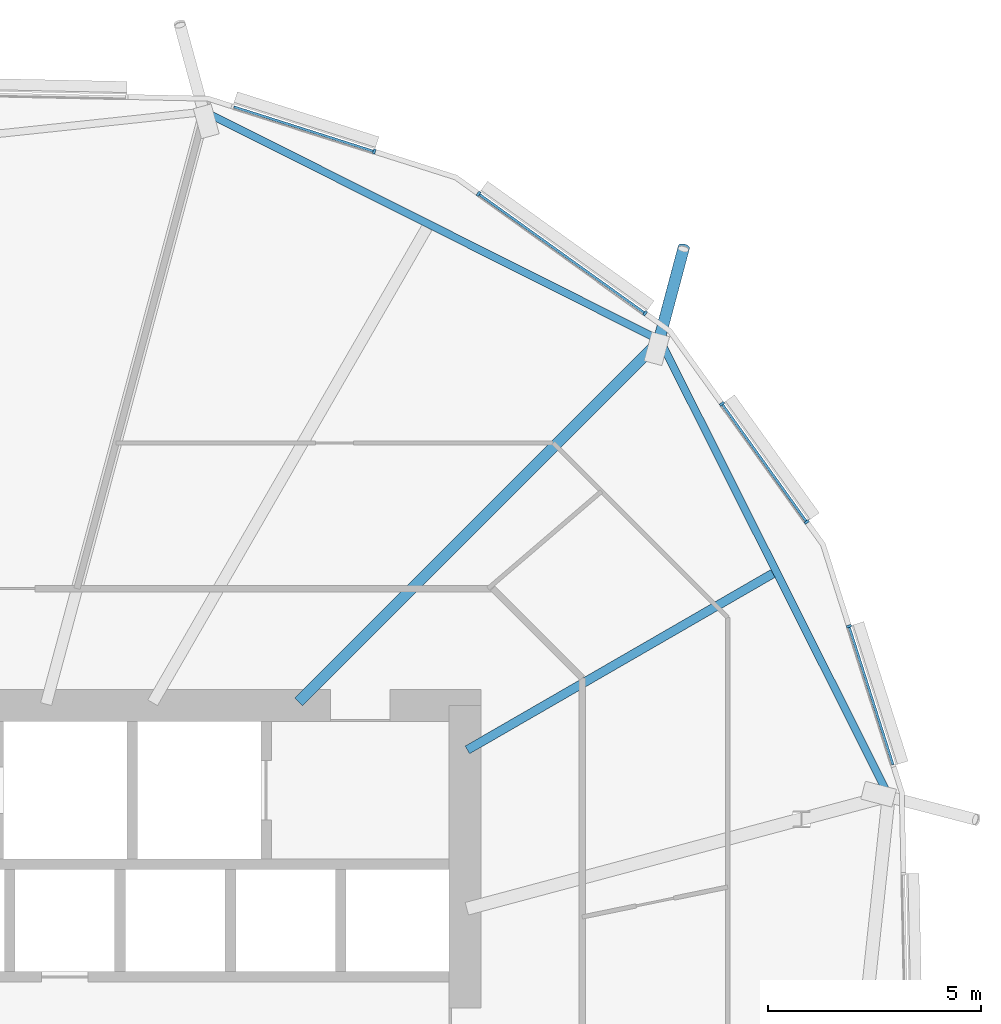
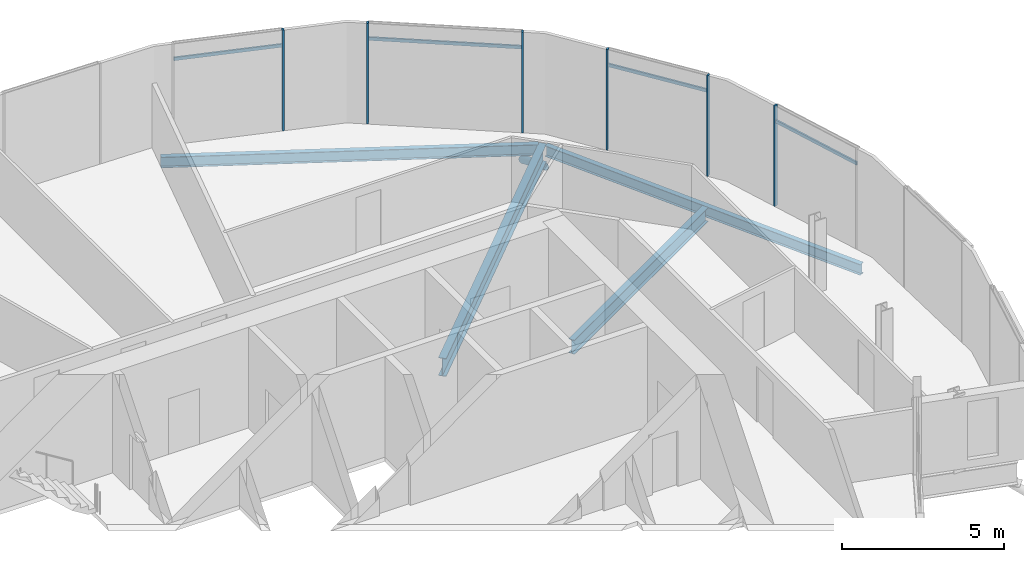
# One storey, part 19 of 43: 11 members, 4 beams, 1 element without a shape of its own.
"""IFC4 building model written with IfcOpenShell, lengths in metres."""

from ifc_helpers import new_model, si_unit, direction, frame, origin, origin_2d, place, context, subcontext, project, spatial, rectangle, hollow_circle, i_section, extrude, clip, halfspace, material, material_profile, profile_set, type_object, element, aggregate, save


model = new_model("IFC4")

# Units and contexts
model_context = context("Model", 3, precision=1e-05, world=origin(), true_north=direction((0.0, 1.0)))
body_context = subcontext(model_context, "Body", "Model", "MODEL_VIEW")
ifc_project = project(units=[si_unit("LENGTHUNIT", "METRE"), si_unit("AREAUNIT", "SQUARE_METRE"), si_unit("VOLUMEUNIT", "CUBIC_METRE"), si_unit("PLANEANGLEUNIT", "RADIAN"), si_unit("MASSUNIT", "GRAM", prefix="KILO")], contexts=[model_context])

# Site, building, storey
site_placement = place(None, origin())
site = spatial("IfcSite", under=ifc_project, at=site_placement, CompositionType="ELEMENT")
building_placement = place(site_placement, origin())
building = spatial("IfcBuilding", under=site, at=building_placement, Name="Rimbun Link Towers", CompositionType="ELEMENT")
storey_placement = place(building_placement, frame((0.0, 0.0, 81.60009765625)))
storey = spatial("IfcBuildingStorey", under=building, at=storey_placement, Name="L19", CompositionType="ELEMENT", Elevation=81.60009765625)

# Curtain wall, members
ifc_material_1 = material(Name="Aluminium 6063-T6 and low-iron glass", Category="aluminium")
curtain_wall_type = type_object("IfcCurtainWallType", Name="CW1-Z2 unitised vision wall (zone 2)", PredefinedType="NOTDEFINED", material=ifc_material_1)
curtain_wall_placement = place(storey_placement, origin())
curtain_wall = element("IfcCurtainWall", 1, at=curtain_wall_placement, inside=storey, type_object=curtain_wall_type, Name="CW1 L19 T2", PredefinedType="NOTDEFINED")
ifc_material_2 = material(Name="Aluminium 6063-T6", Category="aluminium")
ifc_material_profile_1 = material_profile(ifc_material_2, rectangle(XDim=0.1201171875, YDim=0.06005859375, at=origin_2d()), Name="MULLION 60X120")
ifc_profile_set_1 = profile_set([ifc_material_profile_1], Name="Aluminium 6063-T6")
member_type_1 = type_object("IfcMemberType", Name="CW1 mullion 60X120", PredefinedType="MULLION", material=ifc_profile_set_1)
member_1_placement = place(storey_placement, frame((44.06640625, 20.027099609375, 0.0), z_axis=(0.0, 0.0, 1.0), x_axis=(0.583004243446, 0.812469108412, 0.0)))
member_1 = element("IfcMember", 2, at=member_1_placement, type_object=member_type_1, Name="CW1 mullion", PredefinedType="MULLION", context=body_context, shape_type="SweptSolid", body=[
    extrude(rectangle(XDim=0.1201171875, YDim=0.06005859375, at=origin_2d()), origin(), (0.0, 0.0, 1.0), 3.7998046875),
])
member_2_placement = place(storey_placement, frame((47.978759765625, 17.219482421875, 0.0), z_axis=(0.0, 0.0, 1.0), x_axis=(0.583004243446, 0.812469108412, 0.0)))
member_2 = element("IfcMember", 3, at=member_2_placement, type_object=member_type_1, Name="CW1 mullion", PredefinedType="MULLION", context=body_context, shape_type="SweptSolid", body=[
    extrude(rectangle(XDim=0.1201171875, YDim=0.06005859375, at=origin_2d()), origin(), (0.0, 0.0, 1.0), 3.7998046875),
])
member_3_placement = place(storey_placement, frame((41.615478515625, 21.0205078125, 0.0), z_axis=(0.0, 0.0, 1.0), x_axis=(0.303070142328, 0.952968251743, 0.0)))
member_3 = element("IfcMember", 4, at=member_3_placement, type_object=member_type_1, Name="CW1 mullion", PredefinedType="MULLION", context=body_context, shape_type="SweptSolid", body=[
    extrude(rectangle(XDim=0.1201171875, YDim=0.06005859375, at=origin_2d()), origin(), (0.0, 0.0, 1.0), 3.7998046875),
])
member_4_placement = place(storey_placement, frame((52.7705078125, 9.865478515625, 0.0), z_axis=(0.0, 0.0, 1.0), x_axis=(0.952968251743, 0.303070142328, 0.0)))
member_4 = element("IfcMember", 5, at=member_4_placement, type_object=member_type_1, Name="CW1 mullion", PredefinedType="MULLION", context=body_context, shape_type="SweptSolid", body=[
    extrude(rectangle(XDim=0.1201171875, YDim=0.06005859375, at=origin_2d()), origin(), (0.0, 0.0, 1.0), 3.7998046875),
])
member_5_placement = place(storey_placement, frame((49.78564453125, 15.09130859375, 0.0), z_axis=(0.0, 0.0, 1.0), x_axis=(0.812469108412, 0.583004243446, 0.0)))
member_5 = element("IfcMember", 6, at=member_5_placement, type_object=member_type_1, Name="CW1 mullion", PredefinedType="MULLION", context=body_context, shape_type="SweptSolid", body=[
    extrude(rectangle(XDim=0.1201171875, YDim=0.06005859375, at=origin_2d()), origin(), (0.0, 0.0, 1.0), 3.7998046875),
])
member_6_placement = place(storey_placement, frame((51.777099609375, 12.31640625, 0.0), z_axis=(0.0, 0.0, 1.0), x_axis=(0.812469108412, 0.583004243446, 0.0)))
member_6 = element("IfcMember", 7, at=member_6_placement, type_object=member_type_1, Name="CW1 mullion", PredefinedType="MULLION", context=body_context, shape_type="SweptSolid", body=[
    extrude(rectangle(XDim=0.1201171875, YDim=0.06005859375, at=origin_2d()), origin(), (0.0, 0.0, 1.0), 3.7998046875),
])
ifc_material_3 = material(Name="Aluminium 6063-T6", Category="aluminium")
ifc_material_profile_2 = material_profile(ifc_material_3, rectangle(XDim=0.06005859375, YDim=0.1201171875, at=origin_2d()), Name="TRANSOM 60X120")
ifc_profile_set_2 = profile_set([ifc_material_profile_2], Name="Aluminium 6063-T6")
member_type_2 = type_object("IfcMemberType", Name="CW1 transom 60X120", PredefinedType="USERDEFINED", material=ifc_profile_set_2)
member_7_placement = place(storey_placement, frame((44.089599609375, 20.0078125, 3.199951171875), z_axis=(0.812475871457, -0.582994818417, 0.0), x_axis=(0.582994818417, 0.812475871457, 0.0)))
member_7 = element("IfcMember", 8, at=member_7_placement, type_object=member_type_2, Name="CW1 transom", ObjectType="TRANSOM", PredefinedType="USERDEFINED", context=body_context, shape_type="SweptSolid", body=[
    extrude(rectangle(XDim=0.06005859375, YDim=0.1201171875, at=origin_2d()), origin(), (0.0, 0.0, 1.0), 4.755615234375),
])
member_8_placement = place(storey_placement, frame((38.317138671875, 22.0673828125, 3.199951171875), z_axis=(0.952955685137, -0.303109653697, 0.0), x_axis=(0.303109653697, 0.952955685137, 0.0)))
member_8 = element("IfcMember", 9, at=member_8_placement, type_object=member_type_2, Name="CW1 transom", ObjectType="TRANSOM", PredefinedType="USERDEFINED", context=body_context, shape_type="SweptSolid", body=[
    extrude(rectangle(XDim=0.06005859375, YDim=0.1201171875, at=origin_2d()), origin(), (0.0, 0.0, 1.0), 3.430419921875),
])
member_9_placement = place(storey_placement, frame((52.777587890625, 9.836181640625, 3.199951171875), z_axis=(0.303132108062, -0.952948542715, 0.0), x_axis=(0.952948542715, 0.303132108062, 0.0)))
member_9 = element("IfcMember", 10, at=member_9_placement, type_object=member_type_2, Name="CW1 transom", ObjectType="TRANSOM", PredefinedType="USERDEFINED", context=body_context, shape_type="SweptSolid", body=[
    extrude(rectangle(XDim=0.06005859375, YDim=0.1201171875, at=origin_2d()), origin(), (0.0, 0.0, 1.0), 3.380126953125),
])
member_10_placement = place(storey_placement, frame((49.801513671875, 15.06591796875, 3.199951171875), z_axis=(0.582998721092, -0.812473071064, 0.0), x_axis=(0.812473071064, 0.582998721092, 0.0)))
member_10 = element("IfcMember", 11, at=member_10_placement, type_object=member_type_2, Name="CW1 transom", ObjectType="TRANSOM", PredefinedType="USERDEFINED", context=body_context, shape_type="SweptSolid", body=[
    extrude(rectangle(XDim=0.06005859375, YDim=0.1201171875, at=origin_2d()), origin(), (0.0, 0.0, 1.0), 3.35546875),
])
aggregate(curtain_wall, [member_1, member_2, member_3, member_4, member_5, member_6, member_7, member_8, member_9, member_10])

# Member
ifc_material_4 = material(Name="Steel S355J2H", Category="steel")
ifc_material_profile_3 = material_profile(ifc_material_4, hollow_circle(Radius=0.136474609375, WallThickness=0.012451171875, at=origin_2d()), Name="CHS 273x12.5")
ifc_profile_set_3 = profile_set([ifc_material_profile_3], Name="Steel S355J2H")
member_type_3 = type_object("IfcMemberType", Name="Floor edge link CHS 273x12.5", PredefinedType="BRACE", material=ifc_profile_set_3)
member_11_placement = place(storey_placement, frame((48.298095703125, 16.548095703125, -0.96142578125), z_axis=(0.222831092027, 0.835593717167, -0.502124928934), x_axis=(-0.966233183247, 0.257669236798, 0.0)))
element("IfcMember", 12, at=member_11_placement, inside=storey, type_object=member_type_3, Name="Floor edge link T2 L19 00", PredefinedType="BRACE", context=body_context, shape_type="Clipping", body=[
    clip(extrude(hollow_circle(Radius=0.136474609375, WallThickness=0.012451171875, at=origin_2d()), frame((0.0, 0.0, -0.489990234375)), (0.0, 0.0, 1.0), 3.157958984375), halfspace(frame((0.0, 0.0, -0.230712890625), z_axis=(0.0, 0.864795094657, -0.502124928934)), False)),
])

# Beams
ifc_material_5 = material(Name="Steel S355J2", Category="steel")
ifc_material_profile_4 = material_profile(ifc_material_5, i_section(OverallWidth=0.177978515625, OverallDepth=0.406494140625, WebThickness=0.0078125, FlangeThickness=0.0126953125, at=origin_2d()), Name="UB 406x178x60")
ifc_profile_set_4 = profile_set([ifc_material_profile_4], Name="Steel S355J2")
beam_type_1 = type_object("IfcBeamType", Name="UB 406x178x60", PredefinedType="BEAM", material=ifc_profile_set_4)
beam_1_placement = place(storey_placement, frame((48.213134765625, 16.643798828125, -0.36328125), z_axis=(-0.893741795777, 0.448581767887, 0.0), x_axis=(-0.448581767887, -0.893741795777, 0.0)))
element("IfcBeam", 13, at=beam_1_placement, inside=storey, type_object=beam_type_1, Name="Edge beam T2 L19 00-02", PredefinedType="BEAM", context=body_context, shape_type="SweptSolid", body=[
    extrude(i_section(OverallWidth=0.177978515625, OverallDepth=0.406494140625, WebThickness=0.0078125, FlangeThickness=0.0126953125, at=origin_2d()), origin(), (0.0, 0.0, 1.0), 11.701416015625),
])
beam_2_placement = place(storey_placement, frame((53.6337890625, 6.02294921875, -0.36328125), z_axis=(-0.448575753608, 0.893744814404, 0.0), x_axis=(-0.893744814404, -0.448575753608, 0.0)))
element("IfcBeam", 14, at=beam_2_placement, inside=storey, type_object=beam_type_1, Name="Edge beam T2 L19 22-00", PredefinedType="BEAM", context=body_context, shape_type="SweptSolid", body=[
    extrude(i_section(OverallWidth=0.177978515625, OverallDepth=0.406494140625, WebThickness=0.0078125, FlangeThickness=0.0126953125, at=origin_2d()), origin(), (0.0, 0.0, 1.0), 11.681396484375),
])
ifc_material_6 = material(Name="Steel S355J2", Category="steel")
ifc_material_profile_5 = material_profile(ifc_material_6, i_section(OverallWidth=0.209228515625, OverallDepth=0.533203125, WebThickness=0.010009765625, FlangeThickness=0.015625, at=origin_2d()), Name="UB 533x210x92")
ifc_profile_set_5 = profile_set([ifc_material_profile_5], Name="Steel S355J2")
beam_type_2 = type_object("IfcBeamType", Name="UB 533x210x92", PredefinedType="BEAM", material=ifc_profile_set_5)
beam_3_placement = place(storey_placement, frame((43.80322265625, 6.958984375, -0.426513671875), z_axis=(0.866021791448, 0.500006256699, 0.0), x_axis=(-0.500006256699, 0.866021791448, 0.0)))
element("IfcBeam", 15, at=beam_3_placement, inside=storey, type_object=beam_type_2, Name="Radial beam T2 L19 23", PredefinedType="BEAM", context=body_context, shape_type="SweptSolid", body=[
    extrude(i_section(OverallWidth=0.209228515625, OverallDepth=0.533203125, WebThickness=0.010009765625, FlangeThickness=0.015625, at=origin_2d()), origin(), (0.0, 0.0, 1.0), 8.29052734375),
])
ifc_material_7 = material(Name="Steel S355J2", Category="steel")
ifc_material_profile_6 = material_profile(ifc_material_7, i_section(OverallWidth=0.253662109375, OverallDepth=0.68359375, WebThickness=0.012451171875, FlangeThickness=0.01904296875, at=origin_2d()), Name="UB 686x254x140")
ifc_profile_set_6 = profile_set([ifc_material_profile_6], Name="Steel S355J2")
beam_type_3 = type_object("IfcBeamType", Name="UB 686x254x140", PredefinedType="BEAM", material=ifc_profile_set_6)
beam_4_placement = place(storey_placement, frame((39.84033203125, 8.09033203125, -0.501953125), z_axis=(0.707106781187, 0.707106781187, 0.0), x_axis=(-0.707106781187, 0.707106781187, 0.0)))
element("IfcBeam", 16, at=beam_4_placement, inside=storey, type_object=beam_type_3, Name="Radial beam T2 L19 00", PredefinedType="BEAM", context=body_context, shape_type="SweptSolid", body=[
    extrude(i_section(OverallWidth=0.253662109375, OverallDepth=0.68359375, WebThickness=0.012451171875, FlangeThickness=0.01904296875, at=origin_2d()), origin(), (0.0, 0.0, 1.0), 12.01123046875),
])

save(model, "model.ifc")
